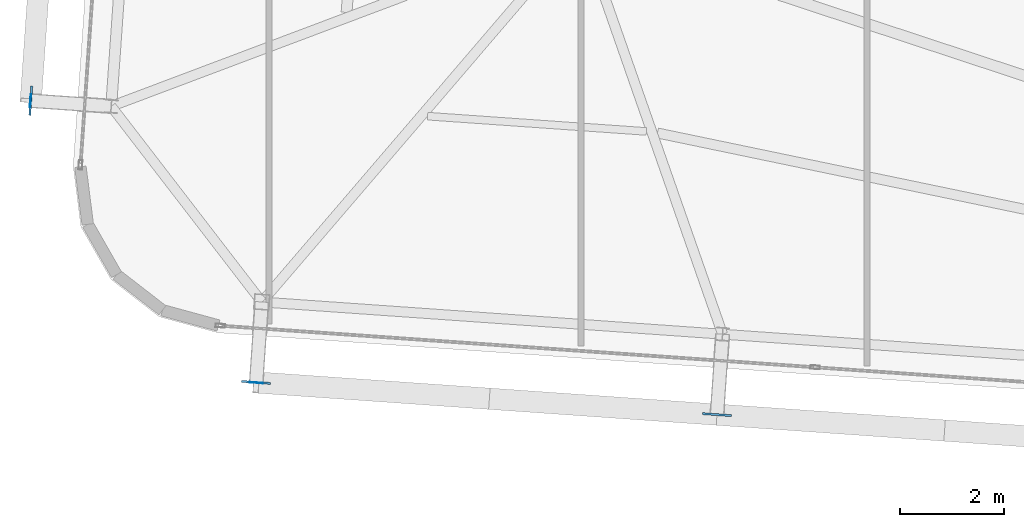
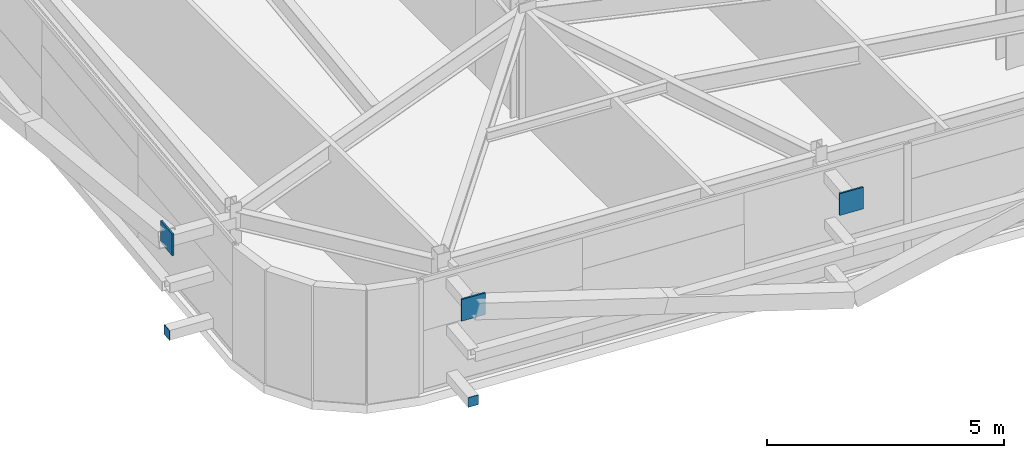
# One storey, part 27 of 39: 5 plates.
"""IFC4 building model written with IfcOpenShell, lengths in metres."""

import ifcopenshell
import ifcopenshell.guid

model = None  # the IFC model being written
_history = None  # IfcOwnerHistory: only IFC2X3 demands one
_inside = {}  # id of a spatial element -> (the spatial element, [elements in it])
_under = {}  # id of a project, library or spatial element -> (it, [spatial elements below it])
_declared = {}  # id of a project -> (the project, [libraries it declares])
_typed = {}  # id of a type object -> (the type object, [elements of that type])
_made_of = {}  # id of a material, layer set ... -> (it, [elements and type objects made of it])


def new_model(schema):
    """Start an empty IFC model of exactly this schema.

    Asked for "IFC4X3", IfcOpenShell would pick the latest addendum, in which some entities
    have other attributes; the version numbers below select the first issue.
    IFC2X3 requires an IfcOwnerHistory on every rooted entity: one is made here for all.
    """
    global model, _history
    if schema == "IFC4X3":
        model = ifcopenshell.file(schema_version=(4, 3, 0, 0))
    else:
        model = ifcopenshell.file(schema=schema)
    _inside.clear()
    _under.clear()
    _declared.clear()
    _typed.clear()
    _made_of.clear()
    _history = None
    if model.schema == "IFC2X3":
        org = make("IfcOrganization", Name="unknown")
        user = make(
            "IfcPersonAndOrganization",
            ThePerson=make("IfcPerson", FamilyName="unknown"),
            TheOrganization=org,
        )
        app = make(
            "IfcApplication",
            ApplicationDeveloper=org,
            Version="unknown",
            ApplicationFullName="unknown",
            ApplicationIdentifier="unknown",
        )
        _history = make(
            "IfcOwnerHistory",
            OwningUser=user,
            OwningApplication=app,
            ChangeAction="ADDED",
            CreationDate=0,
        )
    return model


def make(cls, **values):
    """One entity of the class cls with the attributes given. An attribute that is None is left unset."""
    return model.create_entity(
        cls, **{name: value for name, value in values.items() if value is not None}
    )


def rooted(cls, **values):
    """An entity with a GlobalId (a new one), such as an element, a storey or a relation."""
    return make(cls, GlobalId=ifcopenshell.guid.new(), OwnerHistory=_history, **values)


def si_unit(unit_type, name, prefix=None):
    """IfcSIUnit, for example si_unit("LENGTHUNIT", "METRE", prefix="MILLI")."""
    return make("IfcSIUnit", UnitType=unit_type, Prefix=prefix, Name=name)


def assignment(units):
    """IfcUnitAssignment: the units of a project."""
    return None if units is None else make("IfcUnitAssignment", Units=units)


def point(xyz):
    """IfcCartesianPoint."""
    return None if xyz is None else make("IfcCartesianPoint", Coordinates=xyz)


def direction(xyz):
    """IfcDirection."""
    return None if xyz is None else make("IfcDirection", DirectionRatios=xyz)


def frame(location, z_axis=None, x_axis=None):
    """IfcAxis2Placement3D, a coordinate frame: its origin and axes. An axis left out is left unset."""
    return make(
        "IfcAxis2Placement3D",
        Location=point(location),
        Axis=direction(z_axis),
        RefDirection=direction(x_axis),
    )


def frame_2d(location, x_axis=None):
    """IfcAxis2Placement2D, a coordinate frame in the plane: its origin and x axis."""
    return make(
        "IfcAxis2Placement2D", Location=point(location), RefDirection=direction(x_axis)
    )


def origin():
    """The frame at (0, 0, 0) with its axes left unset."""
    return frame((0.0, 0.0, 0.0))


def origin_2d():
    """The frame at (0, 0) in the plane with its x axis left unset."""
    return frame_2d((0.0, 0.0))


def place(relative_to, where):
    """IfcLocalPlacement: puts the frame where relative to a parent placement (None: the world)."""
    return make(
        "IfcLocalPlacement", PlacementRelTo=relative_to, RelativePlacement=where
    )


def context(
    kind, dimensions, precision=None, world=None, true_north=None, identifier=None
):
    """IfcGeometricRepresentationContext, for example the 3D "Model" context."""
    return make(
        "IfcGeometricRepresentationContext",
        ContextIdentifier=identifier,
        ContextType=kind,
        CoordinateSpaceDimension=dimensions,
        Precision=precision,
        WorldCoordinateSystem=world,
        TrueNorth=true_north,
    )


def subcontext(parent, identifier, kind, view, scale=None):
    """IfcGeometricRepresentationSubContext, for example "Body" below "Model"."""
    return make(
        "IfcGeometricRepresentationSubContext",
        ContextIdentifier=identifier,
        ContextType=kind,
        ParentContext=parent,
        TargetScale=scale,
        TargetView=view,
    )


def project(units=None, contexts=None):
    """IfcProject with its units and contexts."""
    return rooted(
        "IfcProject",
        Name="project",
        RepresentationContexts=contexts,
        UnitsInContext=assignment(units),
    )


def spatial(cls, under=None, at=None, **own):
    """A site, building, storey or space (cls), placed at a placement, below another one or the project."""
    s = rooted(cls, ObjectPlacement=at, **own)
    if under is not None:
        _under.setdefault(under.id(), (under, []))[1].append(s)
    return s


def profile(cls, at=None, kind="AREA", **sizes):
    """A parametric profile (cls). Its sizes go by their IFC names, for example OverallWidth=200.0."""
    return make(cls, ProfileType=kind, Position=at, **sizes)


def rectangle(**sizes):
    """IfcRectangleProfileDef."""
    return profile("IfcRectangleProfileDef", **sizes)


def extrude(swept, where, along, depth):
    """IfcExtrudedAreaSolid: the profile swept, set in the frame where, extruded along a direction by depth."""
    return make(
        "IfcExtrudedAreaSolid",
        SweptArea=swept,
        Position=where,
        ExtrudedDirection=direction(along),
        Depth=depth,
    )


def shape(context_of_items, identifier, shape_type, items):
    """IfcShapeRepresentation: the items that make up one representation, for example the "Body"."""
    return make(
        "IfcShapeRepresentation",
        ContextOfItems=context_of_items,
        RepresentationIdentifier=identifier,
        RepresentationType=shape_type,
        Items=items,
    )


def source(mapping_origin, context_of_items, identifier, shape_type, items):
    """IfcRepresentationMap: a shape defined once, which mapped items show again and again."""
    return make(
        "IfcRepresentationMap",
        MappingOrigin=mapping_origin,
        MappedRepresentation=shape(context_of_items, identifier, shape_type, items),
    )


def transform(
    local_origin,
    x_axis=None,
    y_axis=None,
    z_axis=None,
    scale=None,
    scale2=None,
    scale3=None,
    uniform=True,
):
    """IfcCartesianTransformationOperator3D, or its non-uniform kind. x_axis, y_axis, z_axis: its Axis1, 2, 3."""
    if uniform:
        return make(
            "IfcCartesianTransformationOperator3D",
            Axis1=direction(x_axis),
            Axis2=direction(y_axis),
            LocalOrigin=point(local_origin),
            Scale=scale,
            Axis3=direction(z_axis),
        )
    return make(
        "IfcCartesianTransformationOperator3DnonUniform",
        Axis1=direction(x_axis),
        Axis2=direction(y_axis),
        LocalOrigin=point(local_origin),
        Scale=scale,
        Axis3=direction(z_axis),
        Scale2=scale2,
        Scale3=scale3,
    )


def mapped(mapping_source, mapping_target):
    """IfcMappedItem: shows the shape of a source again, moved by a transform."""
    return make(
        "IfcMappedItem", MappingSource=mapping_source, MappingTarget=mapping_target
    )


def material(Name=None, Category=None):
    """IfcMaterial."""
    return make("IfcMaterial", Name=Name, Category=Category)


def layer(
    of_material, thickness, ventilated=None, Name=None, Category=None, Priority=None
):
    """IfcMaterialLayer: one layer of a wall or slab, of a material (None: an air gap)."""
    return make(
        "IfcMaterialLayer",
        Material=of_material,
        LayerThickness=thickness,
        IsVentilated=ventilated,
        Name=Name,
        Category=Category,
        Priority=Priority,
    )


def layer_set(layers, Name=None):
    """IfcMaterialLayerSet."""
    return make("IfcMaterialLayerSet", MaterialLayers=layers, LayerSetName=Name)


def made_of(thing, what):
    """Note that an element or type object is made of a material, layer set ...; save() writes the relation."""
    if what is not None:
        _made_of.setdefault(what.id(), (what, []))[1].append(thing)
    return thing


def type_object(cls, material=None, **own):
    """A type object (cls), such as IfcWallType, which elements share."""
    return made_of(rooted(cls, **own), material)


def element(
    cls,
    number,
    at=None,
    inside=None,
    cuts=None,
    type_object=None,
    material=None,
    context=None,
    identifier="Body",
    shape_type=None,
    held_by="IfcProductDefinitionShape",
    body=None,
    shapes=None,
    **own,
):
    """One element of the class cls, such as IfcWall. Its Tag is "e" and its number.

    at: its placement. inside: the storey or other place that contains it. cuts: it is an
    opening in that element (IfcRelVoidsElement). A single representation is given by context,
    identifier, shape_type and body (its items); several are given by shapes. held_by: the class
    of the entity that holds the representations. save() writes the other relations.
    """
    e = rooted(cls, Tag="e%d" % number, ObjectPlacement=at, **own)
    if body is not None:
        shapes = [shape(context, identifier, shape_type, body)]
    if shapes is not None:
        e.Representation = make(held_by, Representations=shapes)
    if inside is not None:
        _inside.setdefault(inside.id(), (inside, []))[1].append(e)
    if cuts is not None:
        rooted(
            "IfcRelVoidsElement", RelatingBuildingElement=cuts, RelatedOpeningElement=e
        )
    if type_object is not None:
        _typed.setdefault(type_object.id(), (type_object, []))[1].append(e)
    return made_of(e, material)


def aggregate(whole, parts):
    """IfcRelAggregates: a whole, such as a stair, and the parts it consists of."""
    return rooted("IfcRelAggregates", RelatingObject=whole, RelatedObjects=parts)


def save(model, path):
    """Write the relations noted so far, then the file.

    IfcRelAggregates (storeys below a building ...), IfcRelContainedInSpatialStructure (elements
    in a storey), IfcRelDefinesByType, IfcRelAssociatesMaterial and IfcRelDeclares: one each for
    every whole, place, type object, material and project.
    """
    for whole, parts in _under.values():
        aggregate(whole, parts)
    for where, things in _inside.values():
        rooted(
            "IfcRelContainedInSpatialStructure",
            RelatedElements=things,
            RelatingStructure=where,
        )
    for kind, things in _typed.values():
        rooted("IfcRelDefinesByType", RelatedObjects=things, RelatingType=kind)
    for what, things in _made_of.values():
        rooted("IfcRelAssociatesMaterial", RelatedObjects=things, RelatingMaterial=what)
    for by, libraries in _declared.values():
        rooted("IfcRelDeclares", RelatingContext=by, RelatedDefinitions=libraries)
    model.write(path)


model = new_model("IFC4")

# Units and contexts
model_context = context("Model", 3, precision=1e-05, world=origin(), true_north=direction((0.0, 1.0)))
body_context = subcontext(model_context, "Body", "Model", "MODEL_VIEW")
ifc_project = project(units=[si_unit("LENGTHUNIT", "METRE"), si_unit("AREAUNIT", "SQUARE_METRE"), si_unit("VOLUMEUNIT", "CUBIC_METRE"), si_unit("PLANEANGLEUNIT", "RADIAN"), si_unit("MASSUNIT", "GRAM", prefix="KILO")], contexts=[model_context])

# Site, building, storey
site_placement = place(None, origin())
site = spatial("IfcSite", under=ifc_project, at=site_placement, CompositionType="ELEMENT")
building_placement = place(site_placement, origin())
building = spatial("IfcBuilding", under=site, at=building_placement, Name="Taldren Reach Tower", CompositionType="ELEMENT")
storey_placement = place(building_placement, frame((0.0, 0.0, 123.550048828125)))
storey = spatial("IfcBuildingStorey", under=building, at=storey_placement, Name="L37", CompositionType="ELEMENT", Elevation=123.550048828125)

# Plates
ifc_material_1 = material(Name="Steel Gr 450 (C450L0)", Category="steel")
ifc_layer_1 = layer(ifc_material_1, 0.0400390625)
ifc_layer_set_1 = layer_set([ifc_layer_1], Name="Steel Gr 450 (C450L0)")
plate_type_1 = type_object("IfcPlateType", Name="PL-GUSSET-40", PredefinedType="SHEET", material=ifc_layer_set_1)
shared_shape_1 = source(origin(), body_context, "Body", "SweptSolid", [
    extrude(rectangle(XDim=0.56005859375, YDim=0.0400390625, at=origin_2d()), origin(), (0.0, 0.0, 1.0), 0.56005859375),
])
for number, where, z_axis, x_axis, name in (
    (1, (11.75537109375, 3.792236328125, 2.369873046875), (0.0, 0.0, 1.0), (0.99756405026, -0.069756473744, 0.0), "Exoskeleton star-node gusset plate B3-S1 L37"),
    (2, (20.61376953125, 3.1728515625, 2.369873046875), (0.0, 0.0, 1.0), (0.99756405026, -0.069756473744, 0.0), "Exoskeleton star-node gusset plate B3-S2 L37"),
    (3, (7.422607421875, 9.20751953125, 2.369873046875), (0.0, 0.0, 1.0), (0.069756473744, 0.99756405026, 0.0), "Exoskeleton star-node gusset plate B3-W1 L37"),
):
    element("IfcPlate", number, at=place(storey_placement, frame(where, z_axis=z_axis, x_axis=x_axis)), inside=storey, type_object=plate_type_1, Name=name, PredefinedType="SHEET", context=body_context, shape_type="MappedRepresentation", body=[
        mapped(shared_shape_1, transform((0.0, 0.0, 0.0), scale=1.0)),
    ])
ifc_material_2 = material(Name="Steel Gr 350 (C350L0)", Category="steel")
ifc_layer_2 = layer(ifc_material_2, 0.011962890625)
ifc_layer_set_2 = layer_set([ifc_layer_2], Name="Steel Gr 350 (C350L0)")
plate_type_2 = type_object("IfcPlateType", Name="PL-CAP-250", PredefinedType="SHEET", material=ifc_layer_set_2)
shared_shape_2 = source(origin(), body_context, "Body", "SweptSolid", [
    extrude(rectangle(XDim=0.25, YDim=0.011962890625, at=origin_2d()), origin(), (0.0, 0.0, 1.0), 0.25),
])
plate_1_placement = place(storey_placement, frame((11.755126953125, 3.7861328125, 0.094970703125), z_axis=(0.0, 0.0, 1.0), x_axis=(0.99756405026, -0.069756473744, 0.0)))
element("IfcPlate", 4, at=plate_1_placement, inside=storey, type_object=plate_type_2, Name="Tie strut end cap plate B3-S1 L37", PredefinedType="SHEET", context=body_context, shape_type="MappedRepresentation", body=[
    mapped(shared_shape_2, transform((0.0, 0.0, 0.0), scale=1.0)),
])
shared_shape_3 = source(origin(), body_context, "Body", "SweptSolid", [
    extrude(rectangle(XDim=0.011962890625, YDim=0.25, at=origin_2d()), origin(), (0.0, 0.0, 1.0), 0.25),
])
plate_2_placement = place(storey_placement, frame((7.416748046875, 9.2080078125, 0.094970703125), z_axis=(0.0, 0.0, 1.0), x_axis=(0.99756405026, -0.069756473744, 0.0)))
element("IfcPlate", 5, at=plate_2_placement, inside=storey, type_object=plate_type_2, Name="Tie strut end cap plate B3-W1 L37", PredefinedType="SHEET", context=body_context, shape_type="MappedRepresentation", body=[
    mapped(shared_shape_3, transform((0.0, 0.0, 0.0), scale=1.0)),
])

save(model, "model.ifc")
